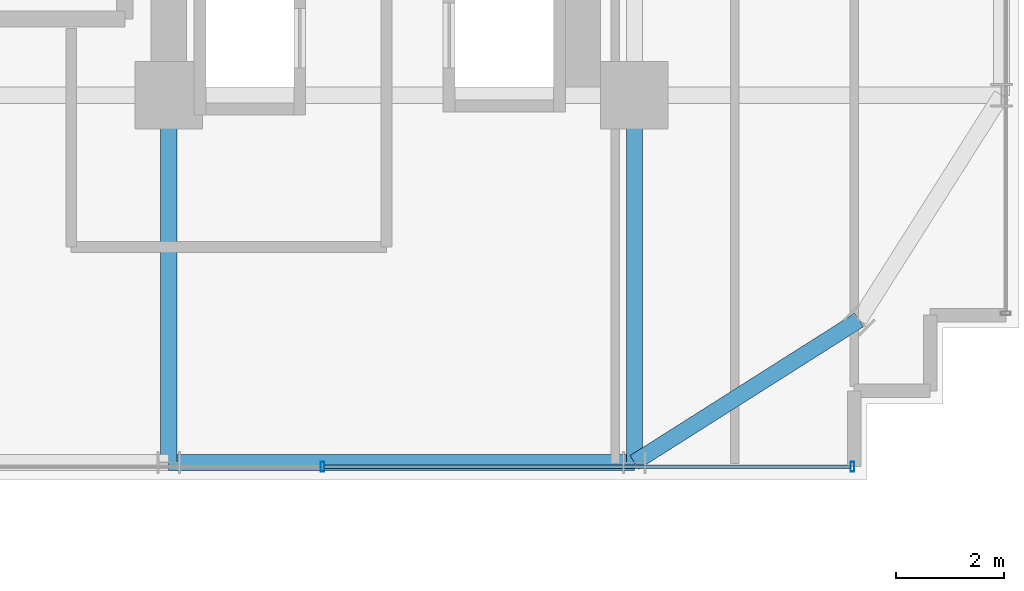
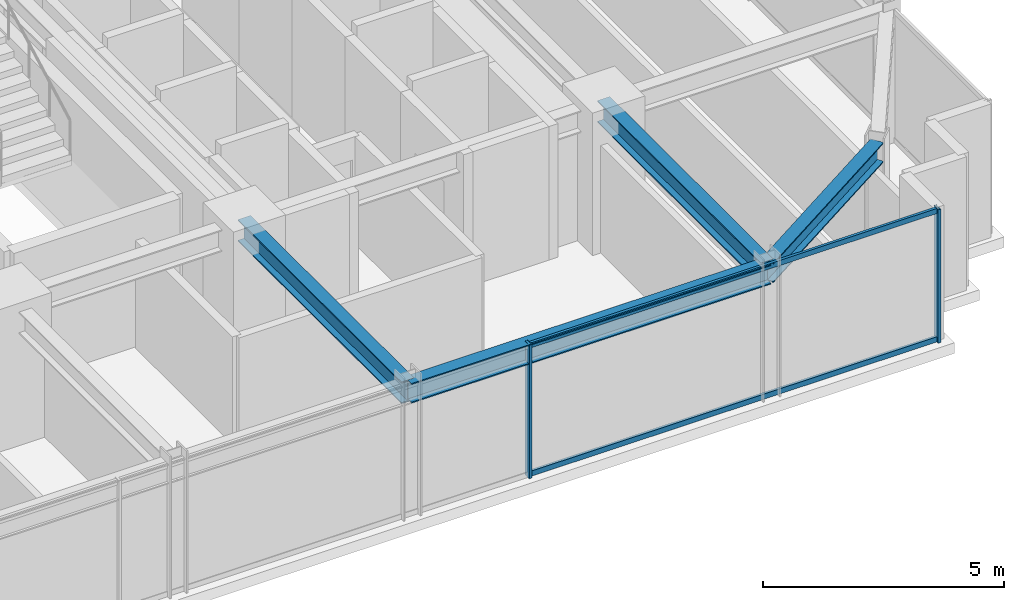
# One storey, part 11 of 33: 4 beams, 4 members, 1 element without a shape of its own.
"""IFC4 building model written with IfcOpenShell, lengths in metres."""

from ifc_helpers import new_model, si_unit, direction, frame, origin, origin_2d, place, context, subcontext, project, spatial, hollow_rectangle, i_section, extrude, source, transform, mapped, material, material_profile, profile_set, type_object, element, aggregate, save


model = new_model("IFC4")

# Units and contexts
model_context = context("Model", 3, precision=1e-05, world=origin(), true_north=direction((0.0, 1.0)))
body_context = subcontext(model_context, "Body", "Model", "MODEL_VIEW")
ifc_project = project(units=[si_unit("LENGTHUNIT", "METRE"), si_unit("AREAUNIT", "SQUARE_METRE"), si_unit("VOLUMEUNIT", "CUBIC_METRE"), si_unit("PLANEANGLEUNIT", "RADIAN"), si_unit("MASSUNIT", "GRAM", prefix="KILO")], contexts=[model_context])

# Site, building, storey
site_placement = place(None, origin())
site = spatial("IfcSite", under=ifc_project, at=site_placement, CompositionType="ELEMENT")
building_placement = place(site_placement, origin())
building = spatial("IfcBuilding", under=site, at=building_placement, Name="Nahalor Promenade Grand Hotel", CompositionType="ELEMENT")
storey_placement = place(building_placement, frame((0.0, 0.0, 132.10009765625)))
storey = spatial("IfcBuildingStorey", under=building, at=storey_placement, Name="L33", CompositionType="ELEMENT", Elevation=132.10009765625)

# Beams
ifc_material_1 = material(Name="Steel S355JR", Category="steel")
ifc_material_profile_1 = material_profile(ifc_material_1, i_section(OverallWidth=0.3, OverallDepth=0.5, WebThickness=0.0145, FlangeThickness=0.028, at=origin_2d()), Name="HEB 500")
ifc_profile_set_1 = profile_set([ifc_material_profile_1], Name="Steel S355JR")
beam_type_1 = type_object("IfcBeamType", Name="Beam-Spandrel-HEB500", PredefinedType="SPANDREL", material=ifc_profile_set_1)
shared_shape_1 = source(origin(), body_context, "Body", "SweptSolid", [
    extrude(i_section(OverallWidth=0.3, OverallDepth=0.5, WebThickness=0.0145, FlangeThickness=0.028, at=origin_2d()), origin(), (0.0, 0.0, 1.0), 8.60009765625),
])
beam_1_placement = place(storey_placement, frame((8.39990234375, -23.780029296875, 3.1298828125), z_axis=(1.0, 0.0, 0.0), x_axis=(0.0, 1.0, 0.0)))
element("IfcBeam", 1, at=beam_1_placement, inside=storey, type_object=beam_type_1, Name="BM-L33-SP-S-4", PredefinedType="SPANDREL", context=body_context, shape_type="MappedRepresentation", body=[
    mapped(shared_shape_1, transform((0.0, 0.0, 0.0), scale=1.0)),
])
shared_shape_2 = source(origin(), body_context, "Body", "SweptSolid", [
    extrude(i_section(OverallWidth=0.3, OverallDepth=0.5, WebThickness=0.0145, FlangeThickness=0.028, at=origin_2d()), origin(), (0.0, 0.0, 1.0), 4.9130859375),
])
beam_2_placement = place(storey_placement, frame((17.0, -23.780029296875, 3.1298828125), z_axis=(0.844648325505, 0.535321591403, 0.0), x_axis=(-0.535321591403, 0.844648325505, 0.0)))
element("IfcBeam", 2, at=beam_2_placement, inside=storey, type_object=beam_type_1, Name="BM-L33-SPC-SE-1", PredefinedType="SPANDREL", context=body_context, shape_type="MappedRepresentation", body=[
    mapped(shared_shape_2, transform((0.0, 0.0, 0.0), scale=1.0)),
])
ifc_material_profile_2 = material_profile(ifc_material_1, i_section(OverallWidth=0.3, OverallDepth=0.55, WebThickness=0.015, FlangeThickness=0.029, at=origin_2d()), Name="HEB 550")
ifc_profile_set_2 = profile_set([ifc_material_profile_2], Name="Steel S355JR")
beam_type_2 = type_object("IfcBeamType", Name="Beam-Girder-HEB550", PredefinedType="BEAM", material=ifc_profile_set_2)
shared_shape_3 = source(origin(), body_context, "Body", "SweptSolid", [
    extrude(i_section(OverallWidth=0.3, OverallDepth=0.55, WebThickness=0.015, FlangeThickness=0.029, at=origin_2d()), origin(), (0.0, 0.0, 1.0), 6.780029296875),
])
for number, where, z_axis, x_axis, name in (
    (3, (8.39990234375, -23.780029296875, 3.10498046875), (0.0, 1.0, 0.0), (-1.0, 0.0, 0.0), "BM-L33-GY-4-0"),
    (4, (17.0, -23.780029296875, 3.10498046875), (0.0, 1.0, 0.0), (-1.0, 0.0, 0.0), "BM-L33-GY-5-0"),
):
    element("IfcBeam", number, at=place(storey_placement, frame(where, z_axis=z_axis, x_axis=x_axis)), inside=storey, type_object=beam_type_2, Name=name, PredefinedType="BEAM", context=body_context, shape_type="MappedRepresentation", body=[
        mapped(shared_shape_3, transform((0.0, 0.0, 0.0), scale=1.0)),
    ])

# Curtain wall, members
ifc_material_2 = material(Name="Anodised Bronze Aluminium EN AW-6063 T6", Category="aluminium")
curtain_wall_type = type_object("IfcCurtainWallType", Name="CW2 Typical Hotel Flush Bronze Unitised Curtain Wall", PredefinedType="USERDEFINED", material=ifc_material_2)
curtain_wall_placement = place(storey_placement, origin())
curtain_wall = element("IfcCurtainWall", 5, at=curtain_wall_placement, inside=storey, type_object=curtain_wall_type, Name="L33 Curtain Wall CW-L33-S-3", ObjectType="UNITISED_CURTAIN_WALL", PredefinedType="USERDEFINED")
ifc_material_profile_3 = material_profile(ifc_material_2, hollow_rectangle(XDim=0.065, YDim=0.18, WallThickness=0.004, at=origin_2d()), Name="CWM 65x180x4")
ifc_profile_set_3 = profile_set([ifc_material_profile_3], Name="Anodised Bronze Aluminium EN AW-6063 T6")
member_type_1 = type_object("IfcMemberType", Name="CWM2 Typical Bronze Mullion 65x180", PredefinedType="MULLION", material=ifc_profile_set_3)
shared_shape_4 = source(origin(), body_context, "Body", "SweptSolid", [
    extrude(hollow_rectangle(XDim=0.065, YDim=0.18, WallThickness=0.004, at=origin_2d()), origin(), (0.0, 0.0, 1.0), 3.3798828125),
])
member_1_placement = place(storey_placement, frame((11.239990234375, -23.860107421875, 0.0), z_axis=(0.0, 0.0, 1.0), x_axis=(1.0, 0.0, 0.0)))
member_1 = element("IfcMember", 6, at=member_1_placement, type_object=member_type_1, Name="CW-L33-S-3 Mullion 2", PredefinedType="MULLION", context=body_context, shape_type="MappedRepresentation", body=[
    mapped(shared_shape_4, transform((0.0, 0.0, 0.0), scale=1.0)),
])
member_2_placement = place(storey_placement, frame((21.027587890625, -23.860107421875, 0.0), z_axis=(0.0, 0.0, 1.0), x_axis=(1.0, 0.0, 0.0)))
member_2 = element("IfcMember", 7, at=member_2_placement, type_object=member_type_1, Name="CW-L33-S-3 Mullion 3", PredefinedType="MULLION", context=body_context, shape_type="MappedRepresentation", body=[
    mapped(shared_shape_4, transform((0.0, 0.0, 0.0), scale=1.0)),
])
ifc_material_profile_4 = material_profile(ifc_material_2, hollow_rectangle(XDim=0.065, YDim=0.13, WallThickness=0.004, at=origin_2d()), Name="CWT 65x130x4")
ifc_profile_set_4 = profile_set([ifc_material_profile_4], Name="Anodised Bronze Aluminium EN AW-6063 T6")
member_type_2 = type_object("IfcMemberType", Name="CWT2 Typical Bronze Transom 65x130", PredefinedType="USERDEFINED", material=ifc_profile_set_4)
shared_shape_5 = source(origin(), body_context, "Body", "SweptSolid", [
    extrude(hollow_rectangle(XDim=0.065, YDim=0.13, WallThickness=0.004, at=origin_2d()), origin(), (0.0, 0.0, 1.0), 9.72265625),
])
member_3_placement = place(storey_placement, frame((11.2724609375, -23.860107421875, 0.06494140625), z_axis=(1.0, 0.0, 0.0), x_axis=(0.0, 1.0, 0.0)))
member_3 = element("IfcMember", 8, at=member_3_placement, type_object=member_type_2, Name="CW-L33-S-3 Transom 2-0", ObjectType="TRANSOM", PredefinedType="USERDEFINED", context=body_context, shape_type="MappedRepresentation", body=[
    mapped(shared_shape_5, transform((0.0, 0.0, 0.0), scale=1.0)),
])
member_4_placement = place(storey_placement, frame((11.2724609375, -23.860107421875, 3.31494140625), z_axis=(1.0, 0.0, 0.0), x_axis=(0.0, 1.0, 0.0)))
member_4 = element("IfcMember", 9, at=member_4_placement, type_object=member_type_2, Name="CW-L33-S-3 Transom 2-1", ObjectType="TRANSOM", PredefinedType="USERDEFINED", context=body_context, shape_type="MappedRepresentation", body=[
    mapped(shared_shape_5, transform((0.0, 0.0, 0.0), scale=1.0)),
])
aggregate(curtain_wall, [member_1, member_2, member_3, member_4])

save(model, "model.ifc")
